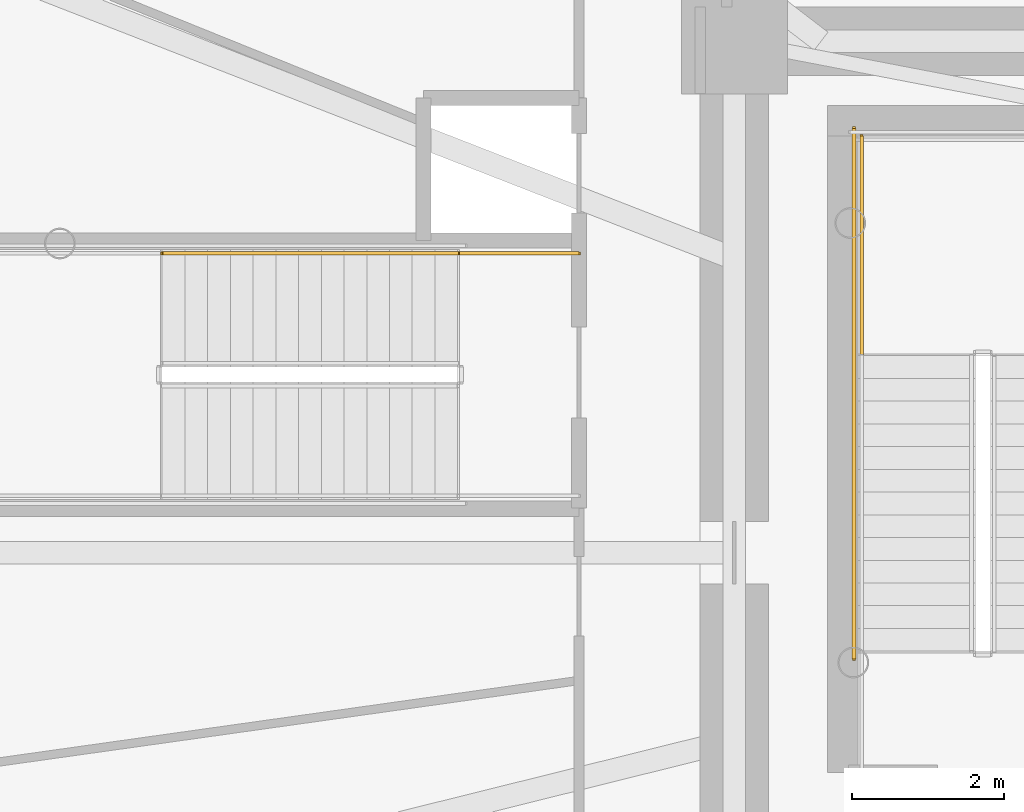
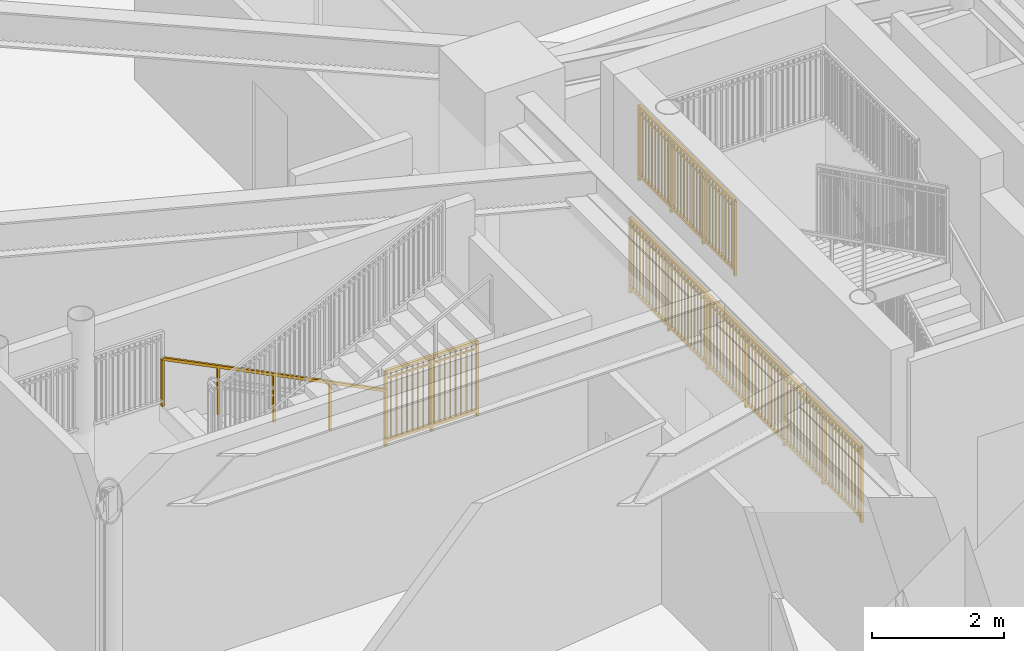
# One storey, part 27 of 35: 4 railings.
"""IFC4 building model written with IfcOpenShell, lengths in metres."""

from ifc_helpers import new_model, si_unit, direction, frame, origin, origin_2d, place, context, subcontext, project, spatial, rectangle, extrude, source, transform, mapped, material, type_object, element, save


model = new_model("IFC4")

# Units and contexts
model_context = context("Model", 3, precision=1e-05, world=origin(), true_north=direction((0.0, 1.0)))
body_context = subcontext(model_context, "Body", "Model", "MODEL_VIEW")
ifc_project = project(units=[si_unit("LENGTHUNIT", "METRE"), si_unit("AREAUNIT", "SQUARE_METRE"), si_unit("VOLUMEUNIT", "CUBIC_METRE"), si_unit("PLANEANGLEUNIT", "RADIAN"), si_unit("MASSUNIT", "GRAM", prefix="KILO")], contexts=[model_context])

# Site, building, storey
site_placement = place(None, origin())
site = spatial("IfcSite", under=ifc_project, at=site_placement, CompositionType="ELEMENT")
building_placement = place(site_placement, origin())
building = spatial("IfcBuilding", under=site, at=building_placement, Name="Linh Dai School and Residence Tower", CompositionType="ELEMENT")
storey_placement = place(building_placement, frame((0.0, 0.0, 49.199951171875)))
storey = spatial("IfcBuildingStorey", under=building, at=storey_placement, Name="L11", CompositionType="ELEMENT", Elevation=49.199951171875)

# Railings
ifc_material_1 = material(Name="Structural Steel S355JR", Category="steel")
railing_type_1 = type_object("IfcRailingType", Name="RL-ST-GUARD-1400", PredefinedType="GUARDRAIL", material=ifc_material_1)
shared_shape_1 = source(origin(), body_context, "Body", "SweptSolid", [
    extrude(rectangle(XDim=0.048095703125, YDim=0.048095703125, at=origin_2d()), frame((0.0, 0.0, 1.3759765625), z_axis=(0.0, 1.0, 0.0), x_axis=(-1.0, 0.0, 0.0)), (0.0, 0.0, 1.0), 7.0),
    extrude(rectangle(XDim=0.048095703125, YDim=0.048095703125, at=origin_2d()), frame((0.0, 0.0, 0.10009765625), z_axis=(0.0, 1.0, 0.0), x_axis=(-1.0, 0.0, 0.0)), (0.0, 0.0, 1.0), 7.0),
    extrude(rectangle(XDim=0.030029296875, YDim=0.030029296875, at=origin_2d()), frame((0.0, 0.0, 1.239990234375), z_axis=(0.0, 1.0, 0.0), x_axis=(-1.0, 0.0, 0.0)), (0.0, 0.0, 1.0), 7.0),
    extrude(rectangle(XDim=0.02001953125, YDim=0.02001953125, at=origin_2d()), frame((0.0, 0.09716796875, 0.10009765625)), (0.0, 0.0, 1.0), 1.251708984375),
    extrude(rectangle(XDim=0.02001953125, YDim=0.02001953125, at=origin_2d()), frame((0.0, 0.1943359375, 0.10009765625)), (0.0, 0.0, 1.0), 1.251708984375),
    extrude(rectangle(XDim=0.02001953125, YDim=0.02001953125, at=origin_2d()), frame((0.0, 0.291748046875, 0.10009765625)), (0.0, 0.0, 1.0), 1.251708984375),
    extrude(rectangle(XDim=0.02001953125, YDim=0.02001953125, at=origin_2d()), frame((0.0, 0.388916015625, 0.10009765625)), (0.0, 0.0, 1.0), 1.251708984375),
    extrude(rectangle(XDim=0.02001953125, YDim=0.02001953125, at=origin_2d()), frame((0.0, 0.486083984375, 0.10009765625)), (0.0, 0.0, 1.0), 1.251708984375),
    extrude(rectangle(XDim=0.02001953125, YDim=0.02001953125, at=origin_2d()), frame((0.0, 0.583251953125, 0.10009765625)), (0.0, 0.0, 1.0), 1.251708984375),
    extrude(rectangle(XDim=0.02001953125, YDim=0.02001953125, at=origin_2d()), frame((0.0, 0.6806640625, 0.10009765625)), (0.0, 0.0, 1.0), 1.251708984375),
    extrude(rectangle(XDim=0.02001953125, YDim=0.02001953125, at=origin_2d()), frame((0.0, 0.77783203125, 0.10009765625)), (0.0, 0.0, 1.0), 1.251708984375),
    extrude(rectangle(XDim=0.02001953125, YDim=0.02001953125, at=origin_2d()), frame((0.0, 0.875, 0.10009765625)), (0.0, 0.0, 1.0), 1.251708984375),
    extrude(rectangle(XDim=0.02001953125, YDim=0.02001953125, at=origin_2d()), frame((0.0, 0.97216796875, 0.10009765625)), (0.0, 0.0, 1.0), 1.251708984375),
    extrude(rectangle(XDim=0.02001953125, YDim=0.02001953125, at=origin_2d()), frame((0.0, 1.0693359375, 0.10009765625)), (0.0, 0.0, 1.0), 1.251708984375),
    extrude(rectangle(XDim=0.02001953125, YDim=0.02001953125, at=origin_2d()), frame((0.0, 1.263916015625, 0.10009765625)), (0.0, 0.0, 1.0), 1.251708984375),
    extrude(rectangle(XDim=0.02001953125, YDim=0.02001953125, at=origin_2d()), frame((0.0, 1.361083984375, 0.10009765625)), (0.0, 0.0, 1.0), 1.251708984375),
    extrude(rectangle(XDim=0.02001953125, YDim=0.02001953125, at=origin_2d()), frame((0.0, 1.458251953125, 0.10009765625)), (0.0, 0.0, 1.0), 1.251708984375),
    extrude(rectangle(XDim=0.02001953125, YDim=0.02001953125, at=origin_2d()), frame((0.0, 1.5556640625, 0.10009765625)), (0.0, 0.0, 1.0), 1.251708984375),
    extrude(rectangle(XDim=0.02001953125, YDim=0.02001953125, at=origin_2d()), frame((0.0, 1.65283203125, 0.10009765625)), (0.0, 0.0, 1.0), 1.251708984375),
    extrude(rectangle(XDim=0.02001953125, YDim=0.02001953125, at=origin_2d()), frame((0.0, 1.75, 0.10009765625)), (0.0, 0.0, 1.0), 1.251708984375),
    extrude(rectangle(XDim=0.02001953125, YDim=0.02001953125, at=origin_2d()), frame((0.0, 1.84716796875, 0.10009765625)), (0.0, 0.0, 1.0), 1.251708984375),
    extrude(rectangle(XDim=0.02001953125, YDim=0.02001953125, at=origin_2d()), frame((0.0, 1.9443359375, 0.10009765625)), (0.0, 0.0, 1.0), 1.251708984375),
    extrude(rectangle(XDim=0.02001953125, YDim=0.02001953125, at=origin_2d()), frame((0.0, 2.041748046875, 0.10009765625)), (0.0, 0.0, 1.0), 1.251708984375),
    extrude(rectangle(XDim=0.02001953125, YDim=0.02001953125, at=origin_2d()), frame((0.0, 2.138916015625, 0.10009765625)), (0.0, 0.0, 1.0), 1.251708984375),
    extrude(rectangle(XDim=0.02001953125, YDim=0.02001953125, at=origin_2d()), frame((0.0, 2.236083984375, 0.10009765625)), (0.0, 0.0, 1.0), 1.251708984375),
    extrude(rectangle(XDim=0.02001953125, YDim=0.02001953125, at=origin_2d()), frame((0.0, 2.4306640625, 0.10009765625)), (0.0, 0.0, 1.0), 1.251708984375),
    extrude(rectangle(XDim=0.02001953125, YDim=0.02001953125, at=origin_2d()), frame((0.0, 2.52783203125, 0.10009765625)), (0.0, 0.0, 1.0), 1.251708984375),
    extrude(rectangle(XDim=0.02001953125, YDim=0.02001953125, at=origin_2d()), frame((0.0, 2.625, 0.10009765625)), (0.0, 0.0, 1.0), 1.251708984375),
    extrude(rectangle(XDim=0.02001953125, YDim=0.02001953125, at=origin_2d()), frame((0.0, 2.72216796875, 0.10009765625)), (0.0, 0.0, 1.0), 1.251708984375),
    extrude(rectangle(XDim=0.02001953125, YDim=0.02001953125, at=origin_2d()), frame((0.0, 2.8193359375, 0.10009765625)), (0.0, 0.0, 1.0), 1.251708984375),
    extrude(rectangle(XDim=0.02001953125, YDim=0.02001953125, at=origin_2d()), frame((0.0, 2.916748046875, 0.10009765625)), (0.0, 0.0, 1.0), 1.251708984375),
    extrude(rectangle(XDim=0.02001953125, YDim=0.02001953125, at=origin_2d()), frame((0.0, 3.013916015625, 0.10009765625)), (0.0, 0.0, 1.0), 1.251708984375),
    extrude(rectangle(XDim=0.02001953125, YDim=0.02001953125, at=origin_2d()), frame((0.0, 3.111083984375, 0.10009765625)), (0.0, 0.0, 1.0), 1.251708984375),
    extrude(rectangle(XDim=0.02001953125, YDim=0.02001953125, at=origin_2d()), frame((0.0, 3.208251953125, 0.10009765625)), (0.0, 0.0, 1.0), 1.251708984375),
    extrude(rectangle(XDim=0.02001953125, YDim=0.02001953125, at=origin_2d()), frame((0.0, 3.3056640625, 0.10009765625)), (0.0, 0.0, 1.0), 1.251708984375),
    extrude(rectangle(XDim=0.02001953125, YDim=0.02001953125, at=origin_2d()), frame((0.0, 3.40283203125, 0.10009765625)), (0.0, 0.0, 1.0), 1.251708984375),
    extrude(rectangle(XDim=0.02001953125, YDim=0.02001953125, at=origin_2d()), frame((0.0, 3.59716796875, 0.10009765625)), (0.0, 0.0, 1.0), 1.251708984375),
    extrude(rectangle(XDim=0.02001953125, YDim=0.02001953125, at=origin_2d()), frame((0.0, 3.6943359375, 0.10009765625)), (0.0, 0.0, 1.0), 1.251708984375),
    extrude(rectangle(XDim=0.02001953125, YDim=0.02001953125, at=origin_2d()), frame((0.0, 3.791748046875, 0.10009765625)), (0.0, 0.0, 1.0), 1.251708984375),
    extrude(rectangle(XDim=0.02001953125, YDim=0.02001953125, at=origin_2d()), frame((0.0, 3.888916015625, 0.10009765625)), (0.0, 0.0, 1.0), 1.251708984375),
    extrude(rectangle(XDim=0.02001953125, YDim=0.02001953125, at=origin_2d()), frame((0.0, 3.986083984375, 0.10009765625)), (0.0, 0.0, 1.0), 1.251708984375),
    extrude(rectangle(XDim=0.02001953125, YDim=0.02001953125, at=origin_2d()), frame((0.0, 4.083251953125, 0.10009765625)), (0.0, 0.0, 1.0), 1.251708984375),
    extrude(rectangle(XDim=0.02001953125, YDim=0.02001953125, at=origin_2d()), frame((0.0, 4.1806640625, 0.10009765625)), (0.0, 0.0, 1.0), 1.251708984375),
    extrude(rectangle(XDim=0.02001953125, YDim=0.02001953125, at=origin_2d()), frame((0.0, 4.27783203125, 0.10009765625)), (0.0, 0.0, 1.0), 1.251708984375),
    extrude(rectangle(XDim=0.02001953125, YDim=0.02001953125, at=origin_2d()), frame((0.0, 4.375, 0.10009765625)), (0.0, 0.0, 1.0), 1.251708984375),
    extrude(rectangle(XDim=0.02001953125, YDim=0.02001953125, at=origin_2d()), frame((0.0, 4.47216796875, 0.10009765625)), (0.0, 0.0, 1.0), 1.251708984375),
    extrude(rectangle(XDim=0.02001953125, YDim=0.02001953125, at=origin_2d()), frame((0.0, 4.5693359375, 0.10009765625)), (0.0, 0.0, 1.0), 1.251708984375),
    extrude(rectangle(XDim=0.02001953125, YDim=0.02001953125, at=origin_2d()), frame((0.0, 4.763916015625, 0.10009765625)), (0.0, 0.0, 1.0), 1.251708984375),
    extrude(rectangle(XDim=0.02001953125, YDim=0.02001953125, at=origin_2d()), frame((0.0, 4.861083984375, 0.10009765625)), (0.0, 0.0, 1.0), 1.251708984375),
    extrude(rectangle(XDim=0.02001953125, YDim=0.02001953125, at=origin_2d()), frame((0.0, 4.958251953125, 0.10009765625)), (0.0, 0.0, 1.0), 1.251708984375),
    extrude(rectangle(XDim=0.02001953125, YDim=0.02001953125, at=origin_2d()), frame((0.0, 5.0556640625, 0.10009765625)), (0.0, 0.0, 1.0), 1.251708984375),
    extrude(rectangle(XDim=0.02001953125, YDim=0.02001953125, at=origin_2d()), frame((0.0, 5.15283203125, 0.10009765625)), (0.0, 0.0, 1.0), 1.251708984375),
    extrude(rectangle(XDim=0.02001953125, YDim=0.02001953125, at=origin_2d()), frame((0.0, 5.25, 0.10009765625)), (0.0, 0.0, 1.0), 1.251708984375),
    extrude(rectangle(XDim=0.02001953125, YDim=0.02001953125, at=origin_2d()), frame((0.0, 5.34716796875, 0.10009765625)), (0.0, 0.0, 1.0), 1.251708984375),
    extrude(rectangle(XDim=0.02001953125, YDim=0.02001953125, at=origin_2d()), frame((0.0, 5.4443359375, 0.10009765625)), (0.0, 0.0, 1.0), 1.251708984375),
    extrude(rectangle(XDim=0.02001953125, YDim=0.02001953125, at=origin_2d()), frame((0.0, 5.541748046875, 0.10009765625)), (0.0, 0.0, 1.0), 1.251708984375),
    extrude(rectangle(XDim=0.02001953125, YDim=0.02001953125, at=origin_2d()), frame((0.0, 5.638916015625, 0.10009765625)), (0.0, 0.0, 1.0), 1.251708984375),
    extrude(rectangle(XDim=0.02001953125, YDim=0.02001953125, at=origin_2d()), frame((0.0, 5.736083984375, 0.10009765625)), (0.0, 0.0, 1.0), 1.251708984375),
    extrude(rectangle(XDim=0.02001953125, YDim=0.02001953125, at=origin_2d()), frame((0.0, 5.9306640625, 0.10009765625)), (0.0, 0.0, 1.0), 1.251708984375),
    extrude(rectangle(XDim=0.02001953125, YDim=0.02001953125, at=origin_2d()), frame((0.0, 6.02783203125, 0.10009765625)), (0.0, 0.0, 1.0), 1.251708984375),
    extrude(rectangle(XDim=0.02001953125, YDim=0.02001953125, at=origin_2d()), frame((0.0, 6.125, 0.10009765625)), (0.0, 0.0, 1.0), 1.251708984375),
    extrude(rectangle(XDim=0.02001953125, YDim=0.02001953125, at=origin_2d()), frame((0.0, 6.22216796875, 0.10009765625)), (0.0, 0.0, 1.0), 1.251708984375),
    extrude(rectangle(XDim=0.02001953125, YDim=0.02001953125, at=origin_2d()), frame((0.0, 6.3193359375, 0.10009765625)), (0.0, 0.0, 1.0), 1.251708984375),
    extrude(rectangle(XDim=0.02001953125, YDim=0.02001953125, at=origin_2d()), frame((0.0, 6.416748046875, 0.10009765625)), (0.0, 0.0, 1.0), 1.251708984375),
    extrude(rectangle(XDim=0.02001953125, YDim=0.02001953125, at=origin_2d()), frame((0.0, 6.513916015625, 0.10009765625)), (0.0, 0.0, 1.0), 1.251708984375),
    extrude(rectangle(XDim=0.02001953125, YDim=0.02001953125, at=origin_2d()), frame((0.0, 6.611083984375, 0.10009765625)), (0.0, 0.0, 1.0), 1.251708984375),
    extrude(rectangle(XDim=0.02001953125, YDim=0.02001953125, at=origin_2d()), frame((0.0, 6.708251953125, 0.10009765625)), (0.0, 0.0, 1.0), 1.251708984375),
    extrude(rectangle(XDim=0.02001953125, YDim=0.02001953125, at=origin_2d()), frame((0.0, 6.8056640625, 0.10009765625)), (0.0, 0.0, 1.0), 1.251708984375),
    extrude(rectangle(XDim=0.02001953125, YDim=0.02001953125, at=origin_2d()), frame((0.0, 6.90283203125, 0.10009765625)), (0.0, 0.0, 1.0), 1.251708984375),
    extrude(rectangle(XDim=0.0419921875, YDim=0.0419921875, at=origin_2d()), origin(), (0.0, 0.0, 1.0), 1.3759765625),
    extrude(rectangle(XDim=0.0419921875, YDim=0.0419921875, at=origin_2d()), frame((0.0, 1.166748046875, 0.0)), (0.0, 0.0, 1.0), 1.3759765625),
    extrude(rectangle(XDim=0.0419921875, YDim=0.0419921875, at=origin_2d()), frame((0.0, 2.333251953125, 0.0)), (0.0, 0.0, 1.0), 1.3759765625),
    extrude(rectangle(XDim=0.0419921875, YDim=0.0419921875, at=origin_2d()), frame((0.0, 3.5, 0.0)), (0.0, 0.0, 1.0), 1.3759765625),
    extrude(rectangle(XDim=0.0419921875, YDim=0.0419921875, at=origin_2d()), frame((0.0, 4.666748046875, 0.0)), (0.0, 0.0, 1.0), 1.3759765625),
    extrude(rectangle(XDim=0.0419921875, YDim=0.0419921875, at=origin_2d()), frame((0.0, 5.833251953125, 0.0)), (0.0, 0.0, 1.0), 1.3759765625),
    extrude(rectangle(XDim=0.0419921875, YDim=0.0419921875, at=origin_2d()), frame((0.0, 7.0, 0.0)), (0.0, 0.0, 1.0), 1.3759765625),
])
railing_1_placement = place(storey_placement, frame((27.6298828125, 25.60009765625, 0.0)))
element("IfcRailing", 1, at=railing_1_placement, inside=storey, type_object=railing_type_1, Name="L11 ST1 stair guard 11", PredefinedType="GUARDRAIL", context=body_context, shape_type="MappedRepresentation", body=[
    mapped(shared_shape_1, transform((0.0, 0.0, 0.0), x_axis=(1.0, 0.0, 0.0), y_axis=(0.0, 1.0, 0.0), z_axis=(0.0, 0.0, 1.0), scale=1.0)),
])
shared_shape_2 = source(origin(), body_context, "Body", "SweptSolid", [
    extrude(rectangle(XDim=0.048095703125, YDim=0.048095703125, at=origin_2d()), frame((0.0, 0.0, 1.3759765625), z_axis=(0.0, 1.0, 0.0), x_axis=(-1.0, 0.0, 0.0)), (0.0, 0.0, 1.0), 2.89990234375),
    extrude(rectangle(XDim=0.048095703125, YDim=0.048095703125, at=origin_2d()), frame((0.0, 0.0, 0.10009765625), z_axis=(0.0, 1.0, 0.0), x_axis=(-1.0, 0.0, 0.0)), (0.0, 0.0, 1.0), 2.89990234375),
    extrude(rectangle(XDim=0.030029296875, YDim=0.030029296875, at=origin_2d()), frame((0.0, 0.0, 1.239990234375), z_axis=(0.0, 1.0, 0.0), x_axis=(-1.0, 0.0, 0.0)), (0.0, 0.0, 1.0), 2.89990234375),
    extrude(rectangle(XDim=0.02001953125, YDim=0.02001953125, at=origin_2d()), frame((0.0, 0.0966796875, 0.10009765625)), (0.0, 0.0, 1.0), 1.251708984375),
    extrude(rectangle(XDim=0.02001953125, YDim=0.02001953125, at=origin_2d()), frame((0.0, 0.193359375, 0.10009765625)), (0.0, 0.0, 1.0), 1.251708984375),
    extrude(rectangle(XDim=0.02001953125, YDim=0.02001953125, at=origin_2d()), frame((0.0, 0.2900390625, 0.10009765625)), (0.0, 0.0, 1.0), 1.251708984375),
    extrude(rectangle(XDim=0.02001953125, YDim=0.02001953125, at=origin_2d()), frame((0.0, 0.38671875, 0.10009765625)), (0.0, 0.0, 1.0), 1.251708984375),
    extrude(rectangle(XDim=0.02001953125, YDim=0.02001953125, at=origin_2d()), frame((0.0, 0.4833984375, 0.10009765625)), (0.0, 0.0, 1.0), 1.251708984375),
    extrude(rectangle(XDim=0.02001953125, YDim=0.02001953125, at=origin_2d()), frame((0.0, 0.580078125, 0.10009765625)), (0.0, 0.0, 1.0), 1.251708984375),
    extrude(rectangle(XDim=0.02001953125, YDim=0.02001953125, at=origin_2d()), frame((0.0, 0.6767578125, 0.10009765625)), (0.0, 0.0, 1.0), 1.251708984375),
    extrude(rectangle(XDim=0.02001953125, YDim=0.02001953125, at=origin_2d()), frame((0.0, 0.773193359375, 0.10009765625)), (0.0, 0.0, 1.0), 1.251708984375),
    extrude(rectangle(XDim=0.02001953125, YDim=0.02001953125, at=origin_2d()), frame((0.0, 0.869873046875, 0.10009765625)), (0.0, 0.0, 1.0), 1.251708984375),
    extrude(rectangle(XDim=0.02001953125, YDim=0.02001953125, at=origin_2d()), frame((0.0, 1.063232421875, 0.10009765625)), (0.0, 0.0, 1.0), 1.251708984375),
    extrude(rectangle(XDim=0.02001953125, YDim=0.02001953125, at=origin_2d()), frame((0.0, 1.159912109375, 0.10009765625)), (0.0, 0.0, 1.0), 1.251708984375),
    extrude(rectangle(XDim=0.02001953125, YDim=0.02001953125, at=origin_2d()), frame((0.0, 1.256591796875, 0.10009765625)), (0.0, 0.0, 1.0), 1.251708984375),
    extrude(rectangle(XDim=0.02001953125, YDim=0.02001953125, at=origin_2d()), frame((0.0, 1.353271484375, 0.10009765625)), (0.0, 0.0, 1.0), 1.251708984375),
    extrude(rectangle(XDim=0.02001953125, YDim=0.02001953125, at=origin_2d()), frame((0.0, 1.449951171875, 0.10009765625)), (0.0, 0.0, 1.0), 1.251708984375),
    extrude(rectangle(XDim=0.02001953125, YDim=0.02001953125, at=origin_2d()), frame((0.0, 1.546630859375, 0.10009765625)), (0.0, 0.0, 1.0), 1.251708984375),
    extrude(rectangle(XDim=0.02001953125, YDim=0.02001953125, at=origin_2d()), frame((0.0, 1.643310546875, 0.10009765625)), (0.0, 0.0, 1.0), 1.251708984375),
    extrude(rectangle(XDim=0.02001953125, YDim=0.02001953125, at=origin_2d()), frame((0.0, 1.739990234375, 0.10009765625)), (0.0, 0.0, 1.0), 1.251708984375),
    extrude(rectangle(XDim=0.02001953125, YDim=0.02001953125, at=origin_2d()), frame((0.0, 1.836669921875, 0.10009765625)), (0.0, 0.0, 1.0), 1.251708984375),
    extrude(rectangle(XDim=0.02001953125, YDim=0.02001953125, at=origin_2d()), frame((0.0, 2.030029296875, 0.10009765625)), (0.0, 0.0, 1.0), 1.251708984375),
    extrude(rectangle(XDim=0.02001953125, YDim=0.02001953125, at=origin_2d()), frame((0.0, 2.126708984375, 0.10009765625)), (0.0, 0.0, 1.0), 1.251708984375),
    extrude(rectangle(XDim=0.02001953125, YDim=0.02001953125, at=origin_2d()), frame((0.0, 2.22314453125, 0.10009765625)), (0.0, 0.0, 1.0), 1.251708984375),
    extrude(rectangle(XDim=0.02001953125, YDim=0.02001953125, at=origin_2d()), frame((0.0, 2.31982421875, 0.10009765625)), (0.0, 0.0, 1.0), 1.251708984375),
    extrude(rectangle(XDim=0.02001953125, YDim=0.02001953125, at=origin_2d()), frame((0.0, 2.41650390625, 0.10009765625)), (0.0, 0.0, 1.0), 1.251708984375),
    extrude(rectangle(XDim=0.02001953125, YDim=0.02001953125, at=origin_2d()), frame((0.0, 2.51318359375, 0.10009765625)), (0.0, 0.0, 1.0), 1.251708984375),
    extrude(rectangle(XDim=0.02001953125, YDim=0.02001953125, at=origin_2d()), frame((0.0, 2.60986328125, 0.10009765625)), (0.0, 0.0, 1.0), 1.251708984375),
    extrude(rectangle(XDim=0.02001953125, YDim=0.02001953125, at=origin_2d()), frame((0.0, 2.70654296875, 0.10009765625)), (0.0, 0.0, 1.0), 1.251708984375),
    extrude(rectangle(XDim=0.02001953125, YDim=0.02001953125, at=origin_2d()), frame((0.0, 2.80322265625, 0.10009765625)), (0.0, 0.0, 1.0), 1.251708984375),
    extrude(rectangle(XDim=0.0419921875, YDim=0.0419921875, at=origin_2d()), origin(), (0.0, 0.0, 1.0), 1.3759765625),
    extrude(rectangle(XDim=0.0419921875, YDim=0.0419921875, at=origin_2d()), frame((0.0, 0.966552734375, 0.0)), (0.0, 0.0, 1.0), 1.3759765625),
    extrude(rectangle(XDim=0.0419921875, YDim=0.0419921875, at=origin_2d()), frame((0.0, 1.933349609375, 0.0)), (0.0, 0.0, 1.0), 1.3759765625),
    extrude(rectangle(XDim=0.0419921875, YDim=0.0419921875, at=origin_2d()), frame((0.0, 2.89990234375, 0.0)), (0.0, 0.0, 1.0), 1.3759765625),
])
railing_2_placement = place(storey_placement, frame((27.72998046875, 29.60009765625, 2.10009765625)))
element("IfcRailing", 2, at=railing_2_placement, inside=storey, type_object=railing_type_1, Name="L11 ST1 stair guard 4", PredefinedType="GUARDRAIL", context=body_context, shape_type="MappedRepresentation", body=[
    mapped(shared_shape_2, transform((0.0, 0.0, 0.0), x_axis=(1.0, 0.0, 0.0), y_axis=(0.0, 1.0, 0.0), z_axis=(0.0, 0.0, 1.0), scale=1.0)),
])
shared_shape_3 = source(origin(), body_context, "Body", "SweptSolid", [
    extrude(rectangle(XDim=0.048095703125, YDim=0.048095703125, at=origin_2d()), frame((0.0, 0.0, 1.3759765625), z_axis=(-1.0, 0.0, 0.0), x_axis=(0.0, -1.0, 0.0)), (0.0, 0.0, 1.0), 1.60009765625),
    extrude(rectangle(XDim=0.048095703125, YDim=0.048095703125, at=origin_2d()), frame((0.0, 0.0, 0.10009765625), z_axis=(-1.0, 0.0, 0.0), x_axis=(0.0, -1.0, 0.0)), (0.0, 0.0, 1.0), 1.60009765625),
    extrude(rectangle(XDim=0.030029296875, YDim=0.030029296875, at=origin_2d()), frame((0.0, 0.0, 1.239990234375), z_axis=(-1.0, 0.0, 0.0), x_axis=(0.0, -1.0, 0.0)), (0.0, 0.0, 1.0), 1.60009765625),
    extrude(rectangle(XDim=0.02001953125, YDim=0.02001953125, at=origin_2d()), frame((-0.09423828125, 0.0, 0.10009765625)), (0.0, 0.0, 1.0), 1.251708984375),
    extrude(rectangle(XDim=0.02001953125, YDim=0.02001953125, at=origin_2d()), frame((-0.188232421875, 0.0, 0.10009765625)), (0.0, 0.0, 1.0), 1.251708984375),
    extrude(rectangle(XDim=0.02001953125, YDim=0.02001953125, at=origin_2d()), frame((-0.282470703125, 0.0, 0.10009765625)), (0.0, 0.0, 1.0), 1.251708984375),
    extrude(rectangle(XDim=0.02001953125, YDim=0.02001953125, at=origin_2d()), frame((-0.37646484375, 0.0, 0.10009765625)), (0.0, 0.0, 1.0), 1.251708984375),
    extrude(rectangle(XDim=0.02001953125, YDim=0.02001953125, at=origin_2d()), frame((-0.470703125, 0.0, 0.10009765625)), (0.0, 0.0, 1.0), 1.251708984375),
    extrude(rectangle(XDim=0.02001953125, YDim=0.02001953125, at=origin_2d()), frame((-0.564697265625, 0.0, 0.10009765625)), (0.0, 0.0, 1.0), 1.251708984375),
    extrude(rectangle(XDim=0.02001953125, YDim=0.02001953125, at=origin_2d()), frame((-0.658935546875, 0.0, 0.10009765625)), (0.0, 0.0, 1.0), 1.251708984375),
    extrude(rectangle(XDim=0.02001953125, YDim=0.02001953125, at=origin_2d()), frame((-0.7529296875, 0.0, 0.10009765625)), (0.0, 0.0, 1.0), 1.251708984375),
    extrude(rectangle(XDim=0.02001953125, YDim=0.02001953125, at=origin_2d()), frame((-0.84716796875, 0.0, 0.10009765625)), (0.0, 0.0, 1.0), 1.251708984375),
    extrude(rectangle(XDim=0.02001953125, YDim=0.02001953125, at=origin_2d()), frame((-0.941162109375, 0.0, 0.10009765625)), (0.0, 0.0, 1.0), 1.251708984375),
    extrude(rectangle(XDim=0.02001953125, YDim=0.02001953125, at=origin_2d()), frame((-1.035400390625, 0.0, 0.10009765625)), (0.0, 0.0, 1.0), 1.251708984375),
    extrude(rectangle(XDim=0.02001953125, YDim=0.02001953125, at=origin_2d()), frame((-1.12939453125, 0.0, 0.10009765625)), (0.0, 0.0, 1.0), 1.251708984375),
    extrude(rectangle(XDim=0.02001953125, YDim=0.02001953125, at=origin_2d()), frame((-1.2236328125, 0.0, 0.10009765625)), (0.0, 0.0, 1.0), 1.251708984375),
    extrude(rectangle(XDim=0.02001953125, YDim=0.02001953125, at=origin_2d()), frame((-1.317626953125, 0.0, 0.10009765625)), (0.0, 0.0, 1.0), 1.251708984375),
    extrude(rectangle(XDim=0.02001953125, YDim=0.02001953125, at=origin_2d()), frame((-1.411865234375, 0.0, 0.10009765625)), (0.0, 0.0, 1.0), 1.251708984375),
    extrude(rectangle(XDim=0.02001953125, YDim=0.02001953125, at=origin_2d()), frame((-1.505859375, 0.0, 0.10009765625)), (0.0, 0.0, 1.0), 1.251708984375),
    extrude(rectangle(XDim=0.0419921875, YDim=0.0419921875, at=origin_2d()), origin(), (0.0, 0.0, 1.0), 1.3759765625),
    extrude(rectangle(XDim=0.0419921875, YDim=0.0419921875, at=origin_2d()), frame((-0.800048828125, 0.0, 0.0)), (0.0, 0.0, 1.0), 1.3759765625),
    extrude(rectangle(XDim=0.0419921875, YDim=0.0419921875, at=origin_2d()), frame((-1.60009765625, 0.0, 0.0)), (0.0, 0.0, 1.0), 1.3759765625),
])
railing_3_placement = place(storey_placement, frame((24.0, 30.949951171875, 0.0)))
element("IfcRailing", 3, at=railing_3_placement, inside=storey, type_object=railing_type_1, Name="L11 STS1 stair guard 8", PredefinedType="GUARDRAIL", context=body_context, shape_type="MappedRepresentation", body=[
    mapped(shared_shape_3, transform((0.0, 0.0, 0.0), x_axis=(1.0, 0.0, 0.0), y_axis=(0.0, 1.0, 0.0), z_axis=(0.0, 0.0, 1.0), scale=1.0)),
])
ifc_material_2 = material(Name="Brushed Stainless Steel Handrail", Category="steel")
railing_type_2 = type_object("IfcRailingType", Name="RL-ST-HANDRAIL-900", PredefinedType="HANDRAIL", material=ifc_material_2)
shared_shape_4 = source(origin(), body_context, "Body", "SweptSolid", [
    extrude(rectangle(XDim=0.048095703125, YDim=0.048095703125, at=origin_2d()), frame((0.0, 0.0, 0.8759765625), z_axis=(-0.894427191, 0.0, 0.4472135955), x_axis=(0.0, -1.0, 0.0)), (0.0, 0.0, 1.0), 4.360107421875),
    extrude(rectangle(XDim=0.0419921875, YDim=0.0419921875, at=origin_2d()), origin(), (0.0, 0.0, 1.0), 0.8759765625),
    extrude(rectangle(XDim=0.0419921875, YDim=0.0419921875, at=origin_2d()), frame((-0.97509765625, 0.0, 0.487548828125)), (0.0, 0.0, 1.0), 0.8759765625),
    extrude(rectangle(XDim=0.0419921875, YDim=0.0419921875, at=origin_2d()), frame((-1.949951171875, 0.0, 0.97509765625)), (0.0, 0.0, 1.0), 0.8759765625),
    extrude(rectangle(XDim=0.0419921875, YDim=0.0419921875, at=origin_2d()), frame((-2.9248046875, 0.0, 1.46240234375)), (0.0, 0.0, 1.0), 0.8759765625),
    extrude(rectangle(XDim=0.0419921875, YDim=0.0419921875, at=origin_2d()), frame((-3.89990234375, 0.0, 1.949951171875)), (0.0, 0.0, 1.0), 0.8759765625),
])
railing_4_placement = place(storey_placement, frame((22.39990234375, 30.949951171875, 0.150146484375)))
element("IfcRailing", 4, at=railing_4_placement, inside=storey, type_object=railing_type_2, Name="L11 STS1 stair handrail 1", PredefinedType="HANDRAIL", context=body_context, shape_type="MappedRepresentation", body=[
    mapped(shared_shape_4, transform((0.0, 0.0, 0.0), x_axis=(1.0, 0.0, 0.0), y_axis=(0.0, 1.0, 0.0), z_axis=(0.0, 0.0, 1.0), scale=1.0)),
])

save(model, "model.ifc")
